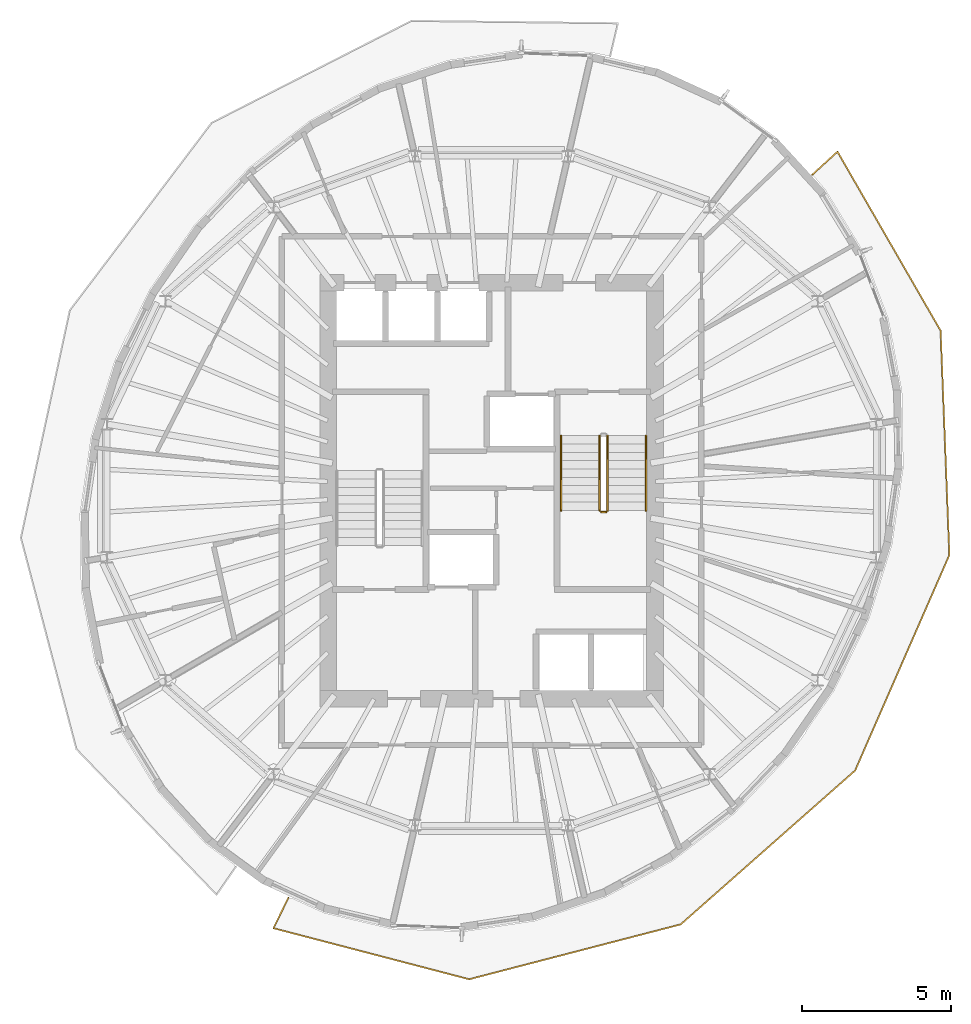
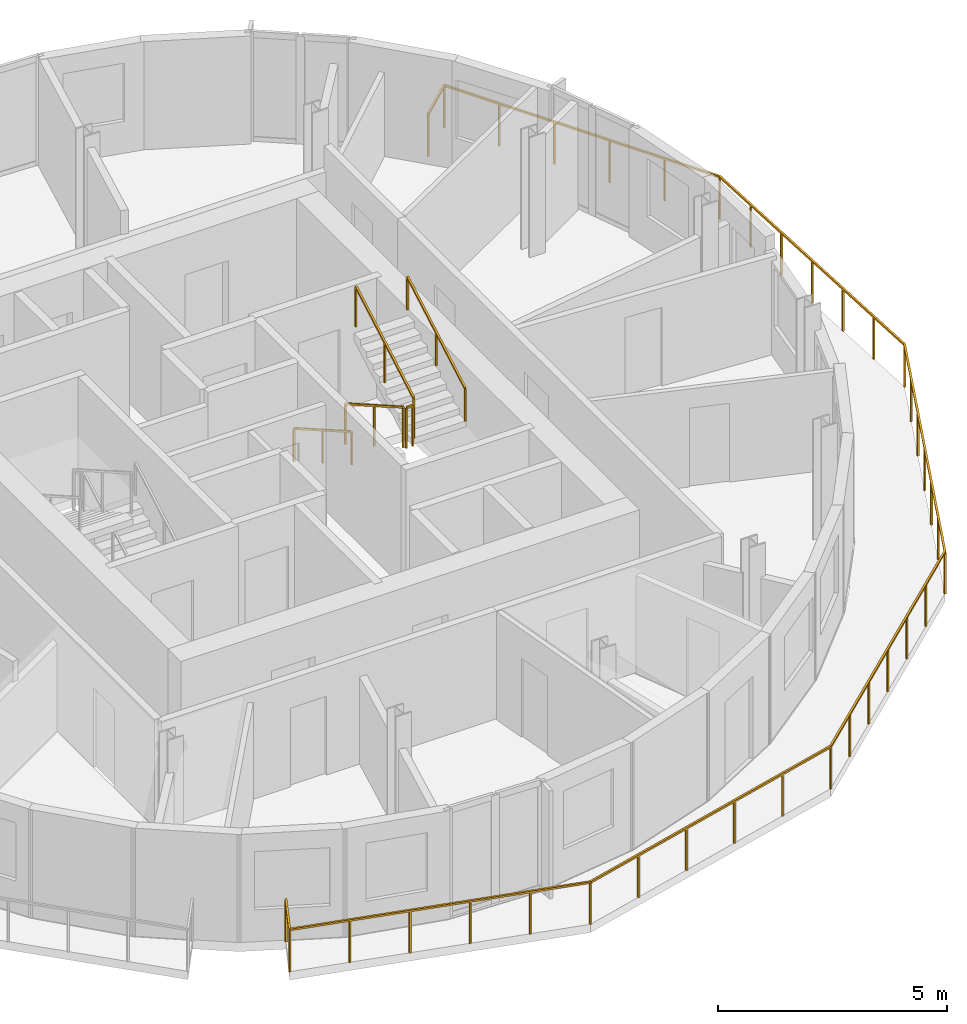
# One storey, part 9 of 11: 6 railings.
"""IFC4 building model written with IfcOpenShell, lengths in metres."""

from ifc_helpers import new_model, si_unit, direction, frame, origin, origin_2d, place, context, subcontext, project, spatial, rectangle, extrude, material, type_object, element, save


model = new_model("IFC4")

# Units and contexts
model_context = context("Model", 3, precision=1e-05, world=origin(), true_north=direction((0.0, 1.0)))
body_context = subcontext(model_context, "Body", "Model", "MODEL_VIEW")
ifc_project = project(units=[si_unit("LENGTHUNIT", "METRE"), si_unit("AREAUNIT", "SQUARE_METRE"), si_unit("VOLUMEUNIT", "CUBIC_METRE"), si_unit("PLANEANGLEUNIT", "RADIAN"), si_unit("MASSUNIT", "GRAM", prefix="KILO")], contexts=[model_context])

# Site, building, storey
site_placement = place(None, origin())
site = spatial("IfcSite", under=ifc_project, at=site_placement, CompositionType="ELEMENT")
building_placement = place(site_placement, origin())
building = spatial("IfcBuilding", under=site, at=building_placement, Name="Veldorim Arch Residences", CompositionType="ELEMENT")
storey_placement = place(building_placement, frame((0.0, 0.0, 239.840087890625)))
storey = spatial("IfcBuildingStorey", under=building, at=storey_placement, Name="L72", CompositionType="ELEMENT", Elevation=239.840087890625)

# Railings
ifc_material_1 = material(Name="Aluminium", Category="aluminium")
railing_type_1 = type_object("IfcRailingType", Name="Balcony & Terrace Laminated Glass Balustrade 1150", PredefinedType="BALUSTRADE", material=ifc_material_1)
railing_1_placement = place(storey_placement, frame((25.16162109375, 10.30322265625, 0.0)))
element("IfcRailing", 1, at=railing_1_placement, inside=storey, type_object=railing_type_1, Name="L72 crescent balcony safety balustrade B", PredefinedType="BALUSTRADE", context=body_context, shape_type="SweptSolid", body=[
    extrude(rectangle(XDim=0.048095703125, YDim=0.048095703125, at=origin_2d()), frame((0.0, 0.0, 1.1259765625), z_axis=(-0.437762639147, -0.899090580402, 0.0), x_axis=(0.899090580402, -0.437762639147, 0.0)), (0.0, 0.0, 1.0), 1.14990234375),
    extrude(rectangle(XDim=0.048095703125, YDim=0.048095703125, at=origin_2d()), frame((-0.50341796875, -1.033935546875, 1.1259765625), z_axis=(0.967615749283, -0.252427735676, 0.0), x_axis=(0.252427735676, 0.967615749283, 0.0)), (0.0, 0.0, 1.0), 6.808837890625),
    extrude(rectangle(XDim=0.048095703125, YDim=0.048095703125, at=origin_2d()), frame((6.0849609375, -2.752685546875, 1.1259765625), z_axis=(0.967951200478, 0.251138355282, 0.0), x_axis=(-0.251138355282, 0.967951200478, 0.0)), (0.0, 0.0, 1.0), 7.357177734375),
    extrude(rectangle(XDim=0.048095703125, YDim=0.048095703125, at=origin_2d()), frame((13.206298828125, -0.905029296875, 1.1259765625), z_axis=(0.749915181283, 0.661533990722, 0.0), x_axis=(-0.661533990722, 0.749915181283, 0.0)), (0.0, 0.0, 1.0), 7.831298828125),
    extrude(rectangle(XDim=0.048095703125, YDim=0.048095703125, at=origin_2d()), frame((19.0791015625, 4.275634765625, 1.1259765625), z_axis=(0.400561673742, 0.916269799529, 0.0), x_axis=(-0.916269799529, 0.400561673742, 0.0)), (0.0, 0.0, 1.0), 7.919189453125),
    extrude(rectangle(XDim=0.048095703125, YDim=0.048095703125, at=origin_2d()), frame((22.251220703125, 11.53173828125, 1.1259765625), z_axis=(-0.039131793302, 0.999234058043, 0.0), x_axis=(-0.999234058043, -0.039131793302, 0.0)), (0.0, 0.0, 1.0), 7.555419921875),
    extrude(rectangle(XDim=0.048095703125, YDim=0.048095703125, at=origin_2d()), frame((21.95556640625, 19.081298828125, 1.1259765625), z_axis=(-0.499136962645, 0.86652310559, 0.0), x_axis=(-0.86652310559, -0.499136962645, 0.0)), (0.0, 0.0, 1.0), 6.956298828125),
    extrude(rectangle(XDim=0.048095703125, YDim=0.048095703125, at=origin_2d()), frame((18.4833984375, 25.109130859375, 1.1259765625), z_axis=(-0.738131502992, -0.67465686411, 0.0), x_axis=(0.67465686411, -0.738131502992, 0.0)), (0.0, 0.0, 1.0), 1.150146484375),
    extrude(rectangle(XDim=0.0419921875, YDim=0.0419921875, at=origin_2d()), origin(), (0.0, 0.0, 1.0), 1.101806640625),
    extrude(rectangle(XDim=0.0419921875, YDim=0.0419921875, at=origin_2d()), frame((-0.50341796875, -1.033935546875, 0.0)), (0.0, 0.0, 1.0), 1.101806640625),
    extrude(rectangle(XDim=0.0419921875, YDim=0.0419921875, at=origin_2d()), frame((0.814208984375, -1.377685546875, 0.0)), (0.0, 0.0, 1.0), 1.101806640625),
    extrude(rectangle(XDim=0.0419921875, YDim=0.0419921875, at=origin_2d()), frame((2.1318359375, -1.721435546875, 0.0)), (0.0, 0.0, 1.0), 1.101806640625),
    extrude(rectangle(XDim=0.0419921875, YDim=0.0419921875, at=origin_2d()), frame((3.44970703125, -2.065185546875, 0.0)), (0.0, 0.0, 1.0), 1.101806640625),
    extrude(rectangle(XDim=0.0419921875, YDim=0.0419921875, at=origin_2d()), frame((4.767333984375, -2.408935546875, 0.0)), (0.0, 0.0, 1.0), 1.101806640625),
    extrude(rectangle(XDim=0.0419921875, YDim=0.0419921875, at=origin_2d()), frame((6.0849609375, -2.752685546875, 0.0)), (0.0, 0.0, 1.0), 1.101806640625),
    extrude(rectangle(XDim=0.0419921875, YDim=0.0419921875, at=origin_2d()), frame((7.50927734375, -2.383056640625, 0.0)), (0.0, 0.0, 1.0), 1.101806640625),
    extrude(rectangle(XDim=0.0419921875, YDim=0.0419921875, at=origin_2d()), frame((8.93359375, -2.013671875, 0.0)), (0.0, 0.0, 1.0), 1.101806640625),
    extrude(rectangle(XDim=0.0419921875, YDim=0.0419921875, at=origin_2d()), frame((10.357666015625, -1.64404296875, 0.0)), (0.0, 0.0, 1.0), 1.101806640625),
    extrude(rectangle(XDim=0.0419921875, YDim=0.0419921875, at=origin_2d()), frame((11.781982421875, -1.274658203125, 0.0)), (0.0, 0.0, 1.0), 1.101806640625),
    extrude(rectangle(XDim=0.0419921875, YDim=0.0419921875, at=origin_2d()), frame((13.206298828125, -0.905029296875, 0.0)), (0.0, 0.0, 1.0), 1.101806640625),
    extrude(rectangle(XDim=0.0419921875, YDim=0.0419921875, at=origin_2d()), frame((14.18505859375, -0.04150390625, 0.0)), (0.0, 0.0, 1.0), 1.101806640625),
    extrude(rectangle(XDim=0.0419921875, YDim=0.0419921875, at=origin_2d()), frame((15.163818359375, 0.82177734375, 0.0)), (0.0, 0.0, 1.0), 1.101806640625),
    extrude(rectangle(XDim=0.0419921875, YDim=0.0419921875, at=origin_2d()), frame((16.142578125, 1.685302734375, 0.0)), (0.0, 0.0, 1.0), 1.101806640625),
    extrude(rectangle(XDim=0.0419921875, YDim=0.0419921875, at=origin_2d()), frame((17.12158203125, 2.548828125, 0.0)), (0.0, 0.0, 1.0), 1.101806640625),
    extrude(rectangle(XDim=0.0419921875, YDim=0.0419921875, at=origin_2d()), frame((18.100341796875, 3.412109375, 0.0)), (0.0, 0.0, 1.0), 1.101806640625),
    extrude(rectangle(XDim=0.0419921875, YDim=0.0419921875, at=origin_2d()), frame((19.0791015625, 4.275634765625, 0.0)), (0.0, 0.0, 1.0), 1.101806640625),
    extrude(rectangle(XDim=0.0419921875, YDim=0.0419921875, at=origin_2d()), frame((19.60791015625, 5.48486328125, 0.0)), (0.0, 0.0, 1.0), 1.101806640625),
    extrude(rectangle(XDim=0.0419921875, YDim=0.0419921875, at=origin_2d()), frame((20.136474609375, 6.6943359375, 0.0)), (0.0, 0.0, 1.0), 1.101806640625),
    extrude(rectangle(XDim=0.0419921875, YDim=0.0419921875, at=origin_2d()), frame((20.6650390625, 7.90380859375, 0.0)), (0.0, 0.0, 1.0), 1.101806640625),
    extrude(rectangle(XDim=0.0419921875, YDim=0.0419921875, at=origin_2d()), frame((21.19384765625, 9.113037109375, 0.0)), (0.0, 0.0, 1.0), 1.101806640625),
    extrude(rectangle(XDim=0.0419921875, YDim=0.0419921875, at=origin_2d()), frame((21.72265625, 10.322265625, 0.0)), (0.0, 0.0, 1.0), 1.101806640625),
    extrude(rectangle(XDim=0.0419921875, YDim=0.0419921875, at=origin_2d()), frame((22.251220703125, 11.53173828125, 0.0)), (0.0, 0.0, 1.0), 1.101806640625),
    extrude(rectangle(XDim=0.0419921875, YDim=0.0419921875, at=origin_2d()), frame((22.201904296875, 12.7900390625, 0.0)), (0.0, 0.0, 1.0), 1.101806640625),
    extrude(rectangle(XDim=0.0419921875, YDim=0.0419921875, at=origin_2d()), frame((22.152587890625, 14.04833984375, 0.0)), (0.0, 0.0, 1.0), 1.101806640625),
    extrude(rectangle(XDim=0.0419921875, YDim=0.0419921875, at=origin_2d()), frame((22.103515625, 15.306640625, 0.0)), (0.0, 0.0, 1.0), 1.101806640625),
    extrude(rectangle(XDim=0.0419921875, YDim=0.0419921875, at=origin_2d()), frame((22.05419921875, 16.564697265625, 0.0)), (0.0, 0.0, 1.0), 1.101806640625),
    extrude(rectangle(XDim=0.0419921875, YDim=0.0419921875, at=origin_2d()), frame((22.0048828125, 17.822998046875, 0.0)), (0.0, 0.0, 1.0), 1.101806640625),
    extrude(rectangle(XDim=0.0419921875, YDim=0.0419921875, at=origin_2d()), frame((21.95556640625, 19.081298828125, 0.0)), (0.0, 0.0, 1.0), 1.101806640625),
    extrude(rectangle(XDim=0.0419921875, YDim=0.0419921875, at=origin_2d()), frame((21.26123046875, 20.286865234375, 0.0)), (0.0, 0.0, 1.0), 1.101806640625),
    extrude(rectangle(XDim=0.0419921875, YDim=0.0419921875, at=origin_2d()), frame((20.566650390625, 21.492431640625, 0.0)), (0.0, 0.0, 1.0), 1.101806640625),
    extrude(rectangle(XDim=0.0419921875, YDim=0.0419921875, at=origin_2d()), frame((19.872314453125, 22.697998046875, 0.0)), (0.0, 0.0, 1.0), 1.101806640625),
    extrude(rectangle(XDim=0.0419921875, YDim=0.0419921875, at=origin_2d()), frame((19.177734375, 23.903564453125, 0.0)), (0.0, 0.0, 1.0), 1.101806640625),
    extrude(rectangle(XDim=0.0419921875, YDim=0.0419921875, at=origin_2d()), frame((18.4833984375, 25.109130859375, 0.0)), (0.0, 0.0, 1.0), 1.101806640625),
    extrude(rectangle(XDim=0.0419921875, YDim=0.0419921875, at=origin_2d()), frame((17.634521484375, 24.333251953125, 0.0)), (0.0, 0.0, 1.0), 1.101806640625),
])
ifc_material_2 = material(Name="Steel S355", Category="steel")
railing_type_2 = type_object("IfcRailingType", Name="Galvanised Steel Stair Safety Guardrail 1100", PredefinedType="GUARDRAIL", material=ifc_material_2)
railing_2_placement = place(storey_placement, frame((35.639892578125, 25.85009765625, 0.159912109375)))
element("IfcRailing", 2, at=railing_2_placement, inside=storey, type_object=railing_type_2, Name="L72 ST-2 stair guard 1", PredefinedType="GUARDRAIL", context=body_context, shape_type="SweptSolid", body=[
    extrude(rectangle(XDim=0.048095703125, YDim=0.048095703125, at=origin_2d()), frame((0.0, 0.0, 1.076171875), z_axis=(0.0, -0.868253494771, 0.496120820787), x_axis=(1.0, 0.0, 0.0)), (0.0, 0.0, 1.0), 2.90234375),
    extrude(rectangle(XDim=0.0419921875, YDim=0.0419921875, at=origin_2d()), origin(), (0.0, 0.0, 1.0), 1.052001953125),
    extrude(rectangle(XDim=0.0419921875, YDim=0.0419921875, at=origin_2d()), frame((0.0, -1.260009765625, 0.719970703125)), (0.0, 0.0, 1.0), 1.052001953125),
    extrude(rectangle(XDim=0.0419921875, YDim=0.0419921875, at=origin_2d()), frame((0.0, -2.52001953125, 1.43994140625)), (0.0, 0.0, 1.0), 1.052001953125),
])
railing_3_placement = place(storey_placement, frame((35.68994140625, 23.280029296875, 1.599853515625)))
element("IfcRailing", 3, at=railing_3_placement, inside=storey, type_object=railing_type_2, Name="L72 ST-2 stair guard 2", PredefinedType="GUARDRAIL", context=body_context, shape_type="SweptSolid", body=[
    extrude(rectangle(XDim=0.048095703125, YDim=0.048095703125, at=origin_2d()), frame((0.0, 0.0, 1.076171875), z_axis=(1.0, 0.0, 0.0), x_axis=(0.0, 1.0, 0.0)), (0.0, 0.0, 1.0), 0.16015625),
    extrude(rectangle(XDim=0.0419921875, YDim=0.0419921875, at=origin_2d()), origin(), (0.0, 0.0, 1.0), 1.052001953125),
    extrude(rectangle(XDim=0.0419921875, YDim=0.0419921875, at=origin_2d()), frame((0.16015625, 0.0, 0.0)), (0.0, 0.0, 1.0), 1.052001953125),
])
railing_4_placement = place(storey_placement, frame((35.89990234375, 23.330078125, 1.760009765625)))
element("IfcRailing", 4, at=railing_4_placement, inside=storey, type_object=railing_type_2, Name="L72 ST-2 stair guard 3", PredefinedType="GUARDRAIL", context=body_context, shape_type="SweptSolid", body=[
    extrude(rectangle(XDim=0.048095703125, YDim=0.048095703125, at=origin_2d()), frame((0.0, 0.0, 1.076171875), z_axis=(0.0, 0.868253494771, 0.496120820787), x_axis=(-1.0, 0.0, 0.0)), (0.0, 0.0, 1.0), 2.90234375),
    extrude(rectangle(XDim=0.0419921875, YDim=0.0419921875, at=origin_2d()), origin(), (0.0, 0.0, 1.0), 1.052001953125),
    extrude(rectangle(XDim=0.0419921875, YDim=0.0419921875, at=origin_2d()), frame((0.0, 1.260009765625, 0.719970703125)), (0.0, 0.0, 1.0), 1.052001953125),
    extrude(rectangle(XDim=0.0419921875, YDim=0.0419921875, at=origin_2d()), frame((0.0, 2.52001953125, 1.43994140625)), (0.0, 0.0, 1.0), 1.052001953125),
])
ifc_material_3 = material(Name="Stainless Steel", Category="steel")
railing_type_3 = type_object("IfcRailingType", Name="Tubular Steel Continuous Wall Handrail 900", PredefinedType="HANDRAIL", material=ifc_material_3)
railing_5_placement = place(storey_placement, frame((34.340087890625, 25.85009765625, 0.159912109375)))
element("IfcRailing", 5, at=railing_5_placement, inside=storey, type_object=railing_type_3, Name="L72 ST-2 stair handrail 1", PredefinedType="HANDRAIL", context=body_context, shape_type="SweptSolid", body=[
    extrude(rectangle(XDim=0.048095703125, YDim=0.048095703125, at=origin_2d()), frame((0.0, 0.0, 0.8759765625), z_axis=(0.0, -0.868253494771, 0.496120820787), x_axis=(1.0, 0.0, 0.0)), (0.0, 0.0, 1.0), 2.90234375),
    extrude(rectangle(XDim=0.0419921875, YDim=0.0419921875, at=origin_2d()), origin(), (0.0, 0.0, 1.0), 0.851806640625),
    extrude(rectangle(XDim=0.0419921875, YDim=0.0419921875, at=origin_2d()), frame((0.0, -1.260009765625, 0.719970703125)), (0.0, 0.0, 1.0), 0.851806640625),
    extrude(rectangle(XDim=0.0419921875, YDim=0.0419921875, at=origin_2d()), frame((0.0, -2.52001953125, 1.43994140625)), (0.0, 0.0, 1.0), 0.851806640625),
])
railing_6_placement = place(storey_placement, frame((37.199951171875, 23.330078125, 1.760009765625)))
element("IfcRailing", 6, at=railing_6_placement, inside=storey, type_object=railing_type_3, Name="L72 ST-2 stair handrail 2", PredefinedType="HANDRAIL", context=body_context, shape_type="SweptSolid", body=[
    extrude(rectangle(XDim=0.048095703125, YDim=0.048095703125, at=origin_2d()), frame((0.0, 0.0, 0.8759765625), z_axis=(0.0, 0.868253494771, 0.496120820787), x_axis=(-1.0, 0.0, 0.0)), (0.0, 0.0, 1.0), 2.90234375),
    extrude(rectangle(XDim=0.0419921875, YDim=0.0419921875, at=origin_2d()), origin(), (0.0, 0.0, 1.0), 0.851806640625),
    extrude(rectangle(XDim=0.0419921875, YDim=0.0419921875, at=origin_2d()), frame((0.0, 1.260009765625, 0.719970703125)), (0.0, 0.0, 1.0), 0.851806640625),
    extrude(rectangle(XDim=0.0419921875, YDim=0.0419921875, at=origin_2d()), frame((0.0, 2.52001953125, 1.43994140625)), (0.0, 0.0, 1.0), 0.851806640625),
])

save(model, "model.ifc")
